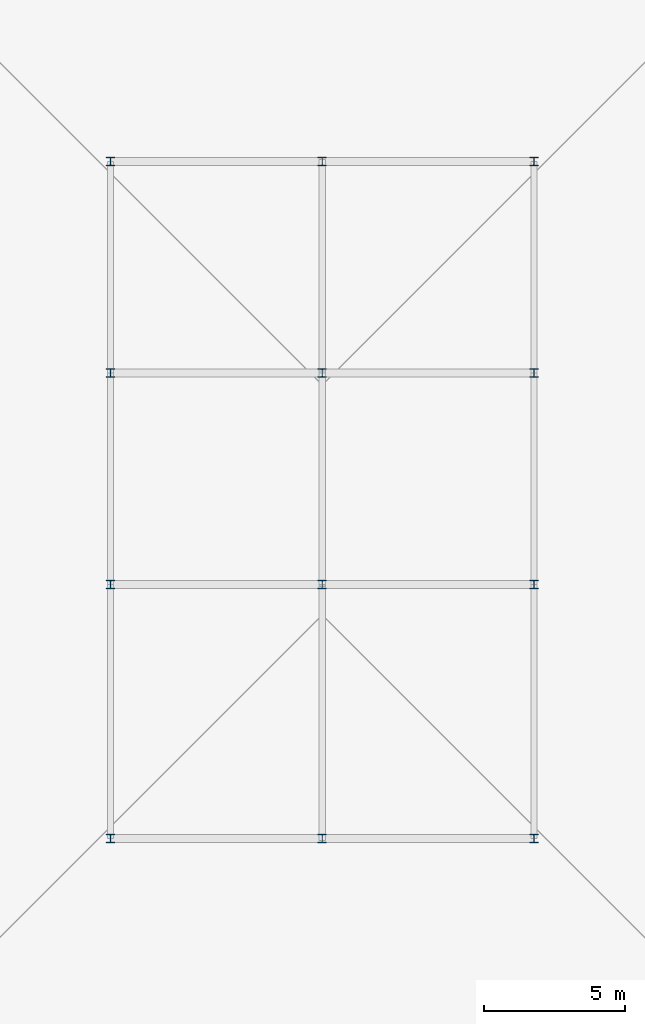
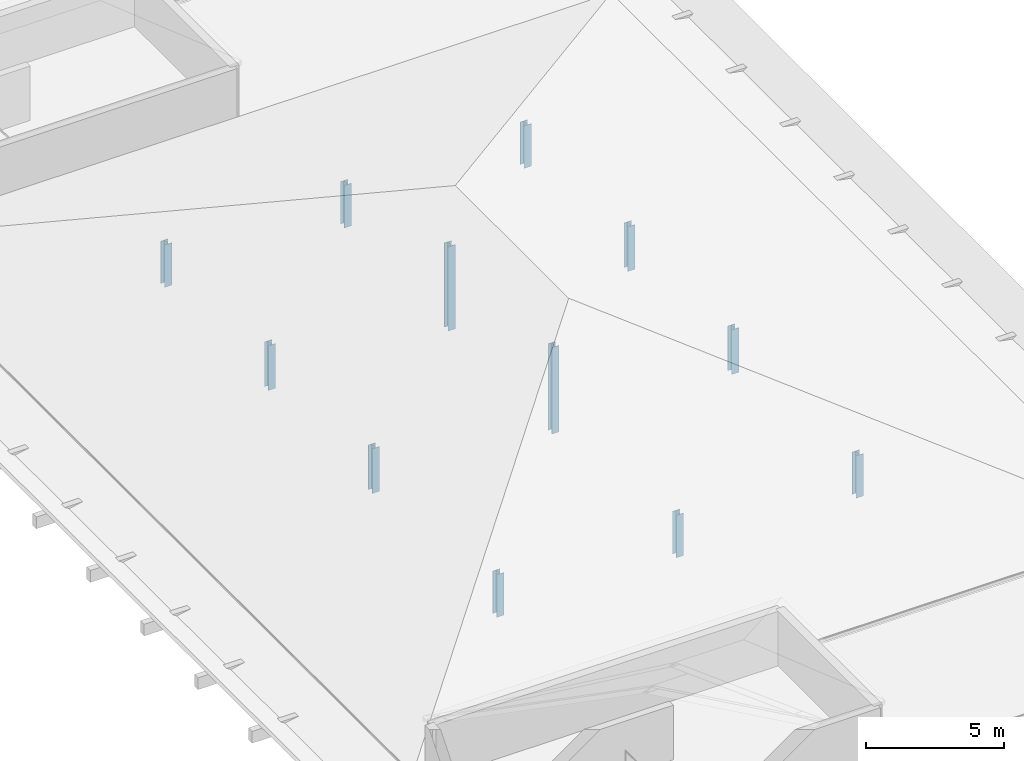
# One storey, part 1 of 4: 12 columns.
"""IFC4 building model written with IfcOpenShell, lengths in metres."""

import ifcopenshell
import ifcopenshell.guid

model = None  # the IFC model being written
_history = None  # IfcOwnerHistory: only IFC2X3 demands one
_inside = {}  # id of a spatial element -> (the spatial element, [elements in it])
_under = {}  # id of a project, library or spatial element -> (it, [spatial elements below it])
_declared = {}  # id of a project -> (the project, [libraries it declares])
_typed = {}  # id of a type object -> (the type object, [elements of that type])
_made_of = {}  # id of a material, layer set ... -> (it, [elements and type objects made of it])


def new_model(schema):
    """Start an empty IFC model of exactly this schema.

    Asked for "IFC4X3", IfcOpenShell would pick the latest addendum, in which some entities
    have other attributes; the version numbers below select the first issue.
    IFC2X3 requires an IfcOwnerHistory on every rooted entity: one is made here for all.
    """
    global model, _history
    if schema == "IFC4X3":
        model = ifcopenshell.file(schema_version=(4, 3, 0, 0))
    else:
        model = ifcopenshell.file(schema=schema)
    _inside.clear()
    _under.clear()
    _declared.clear()
    _typed.clear()
    _made_of.clear()
    _history = None
    if model.schema == "IFC2X3":
        org = make("IfcOrganization", Name="unknown")
        user = make(
            "IfcPersonAndOrganization",
            ThePerson=make("IfcPerson", FamilyName="unknown"),
            TheOrganization=org,
        )
        app = make(
            "IfcApplication",
            ApplicationDeveloper=org,
            Version="unknown",
            ApplicationFullName="unknown",
            ApplicationIdentifier="unknown",
        )
        _history = make(
            "IfcOwnerHistory",
            OwningUser=user,
            OwningApplication=app,
            ChangeAction="ADDED",
            CreationDate=0,
        )
    return model


def make(cls, **values):
    """One entity of the class cls with the attributes given. An attribute that is None is left unset."""
    return model.create_entity(
        cls, **{name: value for name, value in values.items() if value is not None}
    )


def rooted(cls, **values):
    """An entity with a GlobalId (a new one), such as an element, a storey or a relation."""
    return make(cls, GlobalId=ifcopenshell.guid.new(), OwnerHistory=_history, **values)


def si_unit(unit_type, name, prefix=None):
    """IfcSIUnit, for example si_unit("LENGTHUNIT", "METRE", prefix="MILLI")."""
    return make("IfcSIUnit", UnitType=unit_type, Prefix=prefix, Name=name)


def assignment(units):
    """IfcUnitAssignment: the units of a project."""
    return None if units is None else make("IfcUnitAssignment", Units=units)


def point(xyz):
    """IfcCartesianPoint."""
    return None if xyz is None else make("IfcCartesianPoint", Coordinates=xyz)


def direction(xyz):
    """IfcDirection."""
    return None if xyz is None else make("IfcDirection", DirectionRatios=xyz)


def frame(location, z_axis=None, x_axis=None):
    """IfcAxis2Placement3D, a coordinate frame: its origin and axes. An axis left out is left unset."""
    return make(
        "IfcAxis2Placement3D",
        Location=point(location),
        Axis=direction(z_axis),
        RefDirection=direction(x_axis),
    )


def frame_2d(location, x_axis=None):
    """IfcAxis2Placement2D, a coordinate frame in the plane: its origin and x axis."""
    return make(
        "IfcAxis2Placement2D", Location=point(location), RefDirection=direction(x_axis)
    )


def origin():
    """The frame at (0, 0, 0) with its axes left unset."""
    return frame((0.0, 0.0, 0.0))


def origin_2d():
    """The frame at (0, 0) in the plane with its x axis left unset."""
    return frame_2d((0.0, 0.0))


def place(relative_to, where):
    """IfcLocalPlacement: puts the frame where relative to a parent placement (None: the world)."""
    return make(
        "IfcLocalPlacement", PlacementRelTo=relative_to, RelativePlacement=where
    )


def context(
    kind, dimensions, precision=None, world=None, true_north=None, identifier=None
):
    """IfcGeometricRepresentationContext, for example the 3D "Model" context."""
    return make(
        "IfcGeometricRepresentationContext",
        ContextIdentifier=identifier,
        ContextType=kind,
        CoordinateSpaceDimension=dimensions,
        Precision=precision,
        WorldCoordinateSystem=world,
        TrueNorth=true_north,
    )


def subcontext(parent, identifier, kind, view, scale=None):
    """IfcGeometricRepresentationSubContext, for example "Body" below "Model"."""
    return make(
        "IfcGeometricRepresentationSubContext",
        ContextIdentifier=identifier,
        ContextType=kind,
        ParentContext=parent,
        TargetScale=scale,
        TargetView=view,
    )


def project(units=None, contexts=None):
    """IfcProject with its units and contexts."""
    return rooted(
        "IfcProject",
        Name="project",
        RepresentationContexts=contexts,
        UnitsInContext=assignment(units),
    )


def spatial(cls, under=None, at=None, **own):
    """A site, building, storey or space (cls), placed at a placement, below another one or the project."""
    s = rooted(cls, ObjectPlacement=at, **own)
    if under is not None:
        _under.setdefault(under.id(), (under, []))[1].append(s)
    return s


def profile(cls, at=None, kind="AREA", **sizes):
    """A parametric profile (cls). Its sizes go by their IFC names, for example OverallWidth=200.0."""
    return make(cls, ProfileType=kind, Position=at, **sizes)


def i_section(**sizes):
    """IfcIShapeProfileDef."""
    return profile("IfcIShapeProfileDef", **sizes)


def extrude(swept, where, along, depth):
    """IfcExtrudedAreaSolid: the profile swept, set in the frame where, extruded along a direction by depth."""
    return make(
        "IfcExtrudedAreaSolid",
        SweptArea=swept,
        Position=where,
        ExtrudedDirection=direction(along),
        Depth=depth,
    )


def shape(context_of_items, identifier, shape_type, items):
    """IfcShapeRepresentation: the items that make up one representation, for example the "Body"."""
    return make(
        "IfcShapeRepresentation",
        ContextOfItems=context_of_items,
        RepresentationIdentifier=identifier,
        RepresentationType=shape_type,
        Items=items,
    )


def material(Name=None, Category=None):
    """IfcMaterial."""
    return make("IfcMaterial", Name=Name, Category=Category)


def material_profile(
    of_material, cross_section, Name=None, Category=None, Priority=None
):
    """IfcMaterialProfile: a cross section and its material."""
    return make(
        "IfcMaterialProfile",
        Name=Name,
        Material=of_material,
        Profile=cross_section,
        Priority=Priority,
        Category=Category,
    )


def profile_set(profiles, Name=None, composite=None):
    """IfcMaterialProfileSet."""
    return make(
        "IfcMaterialProfileSet",
        Name=Name,
        MaterialProfiles=profiles,
        CompositeProfile=composite,
    )


def made_of(thing, what):
    """Note that an element or type object is made of a material, layer set ...; save() writes the relation."""
    if what is not None:
        _made_of.setdefault(what.id(), (what, []))[1].append(thing)
    return thing


def type_object(cls, material=None, **own):
    """A type object (cls), such as IfcWallType, which elements share."""
    return made_of(rooted(cls, **own), material)


def element(
    cls,
    number,
    at=None,
    inside=None,
    cuts=None,
    type_object=None,
    material=None,
    context=None,
    identifier="Body",
    shape_type=None,
    held_by="IfcProductDefinitionShape",
    body=None,
    shapes=None,
    **own,
):
    """One element of the class cls, such as IfcWall. Its Tag is "e" and its number.

    at: its placement. inside: the storey or other place that contains it. cuts: it is an
    opening in that element (IfcRelVoidsElement). A single representation is given by context,
    identifier, shape_type and body (its items); several are given by shapes. held_by: the class
    of the entity that holds the representations. save() writes the other relations.
    """
    e = rooted(cls, Tag="e%d" % number, ObjectPlacement=at, **own)
    if body is not None:
        shapes = [shape(context, identifier, shape_type, body)]
    if shapes is not None:
        e.Representation = make(held_by, Representations=shapes)
    if inside is not None:
        _inside.setdefault(inside.id(), (inside, []))[1].append(e)
    if cuts is not None:
        rooted(
            "IfcRelVoidsElement", RelatingBuildingElement=cuts, RelatedOpeningElement=e
        )
    if type_object is not None:
        _typed.setdefault(type_object.id(), (type_object, []))[1].append(e)
    return made_of(e, material)


def aggregate(whole, parts):
    """IfcRelAggregates: a whole, such as a stair, and the parts it consists of."""
    return rooted("IfcRelAggregates", RelatingObject=whole, RelatedObjects=parts)


def save(model, path):
    """Write the relations noted so far, then the file.

    IfcRelAggregates (storeys below a building ...), IfcRelContainedInSpatialStructure (elements
    in a storey), IfcRelDefinesByType, IfcRelAssociatesMaterial and IfcRelDeclares: one each for
    every whole, place, type object, material and project.
    """
    for whole, parts in _under.values():
        aggregate(whole, parts)
    for where, things in _inside.values():
        rooted(
            "IfcRelContainedInSpatialStructure",
            RelatedElements=things,
            RelatingStructure=where,
        )
    for kind, things in _typed.values():
        rooted("IfcRelDefinesByType", RelatedObjects=things, RelatingType=kind)
    for what, things in _made_of.values():
        rooted("IfcRelAssociatesMaterial", RelatedObjects=things, RelatingMaterial=what)
    for by, libraries in _declared.values():
        rooted("IfcRelDeclares", RelatingContext=by, RelatedDefinitions=libraries)
    model.write(path)


model = new_model("IFC4")

# Units and contexts
model_context = context("Model", 3, precision=1e-05, world=origin(), true_north=direction((0.0, 1.0)))
body_context = subcontext(model_context, "Body", "Model", "MODEL_VIEW")
ifc_project = project(units=[si_unit("LENGTHUNIT", "METRE"), si_unit("AREAUNIT", "SQUARE_METRE"), si_unit("VOLUMEUNIT", "CUBIC_METRE"), si_unit("PLANEANGLEUNIT", "RADIAN"), si_unit("MASSUNIT", "GRAM", prefix="KILO")], contexts=[model_context])

# Site, building, storey
site_placement = place(None, origin())
site = spatial("IfcSite", under=ifc_project, at=site_placement, CompositionType="ELEMENT")
building_placement = place(site_placement, origin())
building = spatial("IfcBuilding", under=site, at=building_placement, Name="Dalvernix Boulevard General Hospital", CompositionType="ELEMENT")
storey_placement = place(building_placement, frame((0.0, 0.0, 34.050048828125)))
storey = spatial("IfcBuildingStorey", under=building, at=storey_placement, Name="RF", CompositionType="ELEMENT", Elevation=34.050048828125)

# Columns
ifc_material = material(Name="Steel S355", Category="steel")
ifc_material_profile = material_profile(ifc_material, i_section(OverallWidth=0.300048828125, OverallDepth=0.300048828125, WebThickness=0.010986328125, FlangeThickness=0.01904296875, FilletRadius=0.027099609375, at=origin_2d()), Name="HEB 300")
ifc_profile_set = profile_set([ifc_material_profile], Name="Steel S355")
column_type = type_object("IfcColumnType", Name="COL-C-18", PredefinedType="COLUMN", material=ifc_profile_set)
column_1_placement = place(storey_placement, frame((7.5, 22.5, 0.0), z_axis=(0.0, 0.0, 1.0), x_axis=(1.0, 0.0, 0.0)))
element("IfcColumn", 1, at=column_1_placement, inside=storey, type_object=column_type, Name="V4-MID roof king post 2D", PredefinedType="COLUMN", context=body_context, shape_type="SweptSolid", body=[
    extrude(i_section(OverallWidth=0.300048828125, OverallDepth=0.300048828125, WebThickness=0.010986328125, FlangeThickness=0.01904296875, FilletRadius=0.027099609375, at=origin_2d()), origin(), (0.0, 0.0, 1.0), 1.871826171875),
])
for number, where, z_axis, x_axis, name in (
    (2, (7.5, 31.5, 0.0), (0.0, 0.0, 1.0), (1.0, 0.0, 0.0), "V4-MID roof king post 2E"),
    (3, (7.5, 39.0, 0.0), (0.0, 0.0, 1.0), (1.0, 0.0, 0.0), "V4-MID roof king post 2F"),
):
    element("IfcColumn", number, at=place(storey_placement, frame(where, z_axis=z_axis, x_axis=x_axis)), inside=storey, type_object=column_type, Name=name, PredefinedType="COLUMN", context=body_context, shape_type="SweptSolid", body=[
        extrude(i_section(OverallWidth=0.300048828125, OverallDepth=0.300048828125, WebThickness=0.010986328125, FlangeThickness=0.01904296875, FilletRadius=0.027099609375, at=origin_2d()), origin(), (0.0, 0.0, 1.0), 1.969970703125),
    ])
for number, where, z_axis, x_axis, name in (
    (4, (7.5, 46.5, 0.0), (0.0, 0.0, 1.0), (1.0, 0.0, 0.0), "V4-MID roof king post 2G"),
    (5, (15.0, 22.5, 0.0), (0.0, 0.0, 1.0), (1.0, 0.0, 0.0), "V4-MID roof king post 3D"),
):
    element("IfcColumn", number, at=place(storey_placement, frame(where, z_axis=z_axis, x_axis=x_axis)), inside=storey, type_object=column_type, Name=name, PredefinedType="COLUMN", context=body_context, shape_type="SweptSolid", body=[
        extrude(i_section(OverallWidth=0.300048828125, OverallDepth=0.300048828125, WebThickness=0.010986328125, FlangeThickness=0.01904296875, FilletRadius=0.027099609375, at=origin_2d()), origin(), (0.0, 0.0, 1.0), 1.871826171875),
    ])
column_2_placement = place(storey_placement, frame((15.0, 31.5, 0.0), z_axis=(0.0, 0.0, 1.0), x_axis=(1.0, 0.0, 0.0)))
element("IfcColumn", 6, at=column_2_placement, inside=storey, type_object=column_type, Name="V4-MID roof king post 3E", PredefinedType="COLUMN", context=body_context, shape_type="SweptSolid", body=[
    extrude(i_section(OverallWidth=0.300048828125, OverallDepth=0.300048828125, WebThickness=0.010986328125, FlangeThickness=0.01904296875, FilletRadius=0.027099609375, at=origin_2d()), origin(), (0.0, 0.0, 1.0), 3.812255859375),
])
column_3_placement = place(storey_placement, frame((15.0, 39.0, 0.0), z_axis=(0.0, 0.0, 1.0), x_axis=(1.0, 0.0, 0.0)))
element("IfcColumn", 7, at=column_3_placement, inside=storey, type_object=column_type, Name="V4-MID roof king post 3F", PredefinedType="COLUMN", context=body_context, shape_type="SweptSolid", body=[
    extrude(i_section(OverallWidth=0.300048828125, OverallDepth=0.300048828125, WebThickness=0.010986328125, FlangeThickness=0.01904296875, FilletRadius=0.027099609375, at=origin_2d()), origin(), (0.0, 0.0, 1.0), 3.7138671875),
])
for number, where, z_axis, x_axis, name in (
    (8, (15.0, 46.5, 0.0), (0.0, 0.0, 1.0), (1.0, 0.0, 0.0), "V4-MID roof king post 3G"),
    (9, (22.5, 22.5, 0.0), (0.0, 0.0, 1.0), (1.0, 0.0, 0.0), "V4-MID roof king post 4D"),
):
    element("IfcColumn", number, at=place(storey_placement, frame(where, z_axis=z_axis, x_axis=x_axis)), inside=storey, type_object=column_type, Name=name, PredefinedType="COLUMN", context=body_context, shape_type="SweptSolid", body=[
        extrude(i_section(OverallWidth=0.300048828125, OverallDepth=0.300048828125, WebThickness=0.010986328125, FlangeThickness=0.01904296875, FilletRadius=0.027099609375, at=origin_2d()), origin(), (0.0, 0.0, 1.0), 1.871826171875),
    ])
for number, where, z_axis, x_axis, name in (
    (10, (22.5, 31.5, 0.0), (0.0, 0.0, 1.0), (1.0, 0.0, 0.0), "V4-MID roof king post 4E"),
    (11, (22.5, 39.0, 0.0), (0.0, 0.0, 1.0), (1.0, 0.0, 0.0), "V4-MID roof king post 4F"),
):
    element("IfcColumn", number, at=place(storey_placement, frame(where, z_axis=z_axis, x_axis=x_axis)), inside=storey, type_object=column_type, Name=name, PredefinedType="COLUMN", context=body_context, shape_type="SweptSolid", body=[
        extrude(i_section(OverallWidth=0.300048828125, OverallDepth=0.300048828125, WebThickness=0.010986328125, FlangeThickness=0.01904296875, FilletRadius=0.027099609375, at=origin_2d()), origin(), (0.0, 0.0, 1.0), 1.969970703125),
    ])
column_4_placement = place(storey_placement, frame((22.5, 46.5, 0.0), z_axis=(0.0, 0.0, 1.0), x_axis=(1.0, 0.0, 0.0)))
element("IfcColumn", 12, at=column_4_placement, inside=storey, type_object=column_type, Name="V4-MID roof king post 4G", PredefinedType="COLUMN", context=body_context, shape_type="SweptSolid", body=[
    extrude(i_section(OverallWidth=0.300048828125, OverallDepth=0.300048828125, WebThickness=0.010986328125, FlangeThickness=0.01904296875, FilletRadius=0.027099609375, at=origin_2d()), origin(), (0.0, 0.0, 1.0), 1.871826171875),
])

save(model, "model.ifc")
